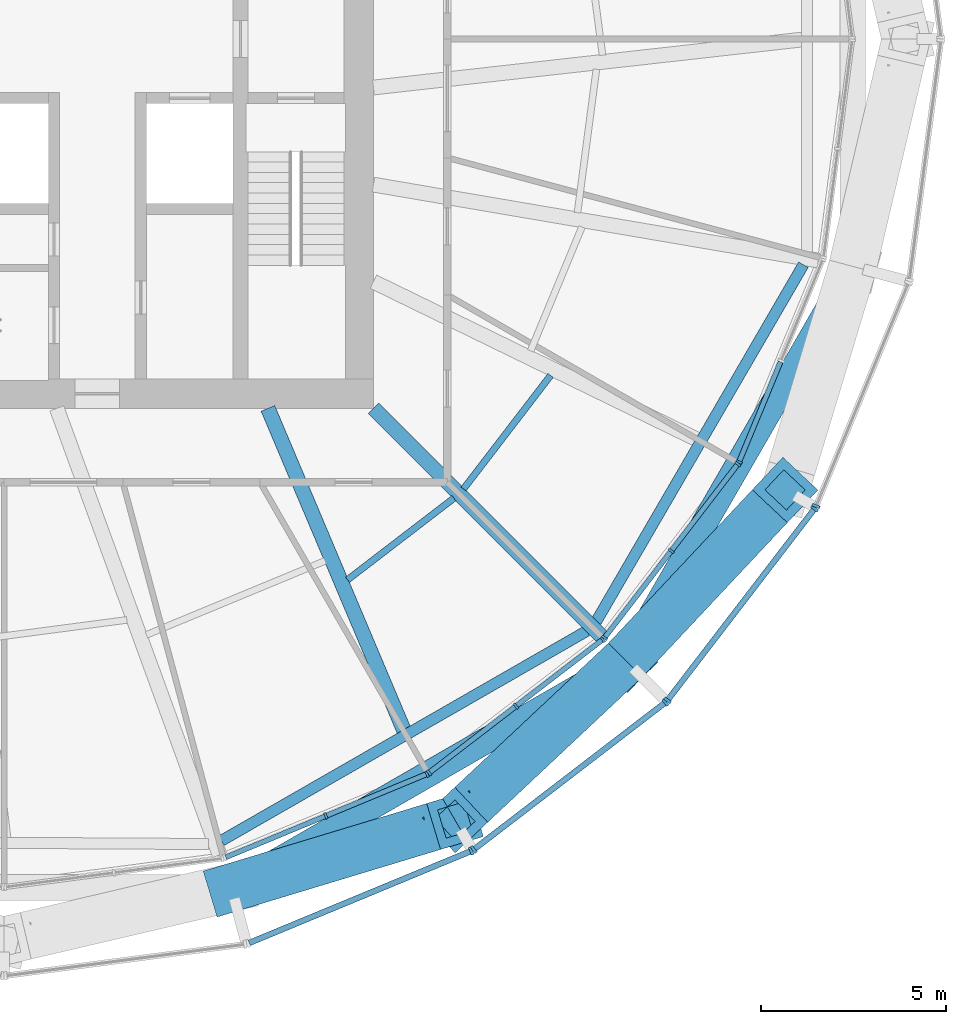
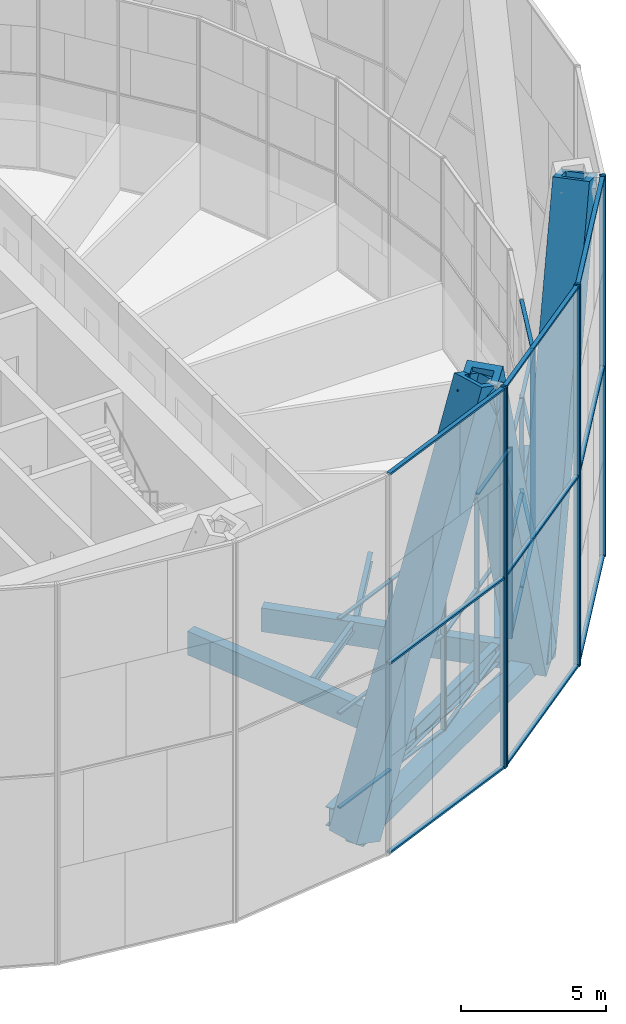
# One storey, part 4 of 22: 48 members, 8 beams, 8 elements without a shape of their own.
"""IFC4 building model written with IfcOpenShell, lengths in metres."""

from ifc_helpers import new_model, si_unit, direction, frame, origin, origin_2d, place, context, subcontext, project, spatial, rectangle, hollow_rectangle, i_section, extrude, material, material_profile, profile_set, type_object, element, aggregate, save


model = new_model("IFC4")

# Units and contexts
model_context = context("Model", 3, precision=1e-05, world=origin(), true_north=direction((0.0, 1.0)))
body_context = subcontext(model_context, "Body", "Model", "MODEL_VIEW")
ifc_project = project(units=[si_unit("LENGTHUNIT", "METRE"), si_unit("AREAUNIT", "SQUARE_METRE"), si_unit("VOLUMEUNIT", "CUBIC_METRE"), si_unit("PLANEANGLEUNIT", "RADIAN"), si_unit("MASSUNIT", "GRAM", prefix="KILO")], contexts=[model_context])

# Site, building, storey
site_placement = place(None, origin())
site = spatial("IfcSite", under=ifc_project, at=site_placement, CompositionType="ELEMENT")
building_placement = place(site_placement, origin())
building = spatial("IfcBuilding", under=site, at=building_placement, Name="Golbaran Civic Tower", CompositionType="ELEMENT")
storey_placement = place(building_placement, frame((0.0, 0.0, 37.0)))
storey = spatial("IfcBuildingStorey", under=building, at=storey_placement, Name="L08", CompositionType="ELEMENT", Elevation=37.0)

# Members
ifc_material_1 = material(Name="Steel S355", Category="steel")
ifc_material_profile_1 = material_profile(ifc_material_1, hollow_rectangle(XDim=1.300048828125, YDim=1.300048828125, WallThickness=0.25, at=origin_2d()), Name="BOX 1300x1300x250")
ifc_profile_set_1 = profile_set([ifc_material_profile_1], Name="Steel S355")
member_type_1 = type_object("IfcMemberType", Name="DIAGRID DIAGONAL BOX 1300x1300x250", PredefinedType="BRACE", material=ifc_profile_set_1)
for number, where, z_axis, x_axis, name in (
    (1, (6.156005859375, -22.974609375, -0.7099609375), (0.351780312348, 0.106361428095, 0.930020353787), (-0.289412539524, 0.957204461944, 0.0), "Diagonal D01-09R L08-L12"),
    (2, (16.818603515625, -16.818603515625, -0.7099609375), (0.251464950583, 0.267997493892, 0.930022968478), (-0.729242105697, 0.68425576452, 0.0), "Diagonal D01-10R L08-L12"),
    (3, (16.818603515625, -16.818603515625, -0.7099609375), (-0.267997493892, -0.251464950583, 0.930022968478), (0.68425576452, -0.729242105697, 0.0), "Diagonal D01-10L L08-L12"),
):
    element("IfcMember", number, at=place(storey_placement, frame(where, z_axis=z_axis, x_axis=x_axis)), inside=storey, type_object=member_type_1, Name=name, PredefinedType="BRACE", context=body_context, shape_type="SweptSolid", body=[
        extrude(hollow_rectangle(XDim=1.300048828125, YDim=1.300048828125, WallThickness=0.25, at=origin_2d()), origin(), (0.0, 0.0, 1.0), 17.203857421875),
    ])

# Beams
ifc_material_profile_2 = material_profile(ifc_material_1, hollow_rectangle(XDim=0.699951171875, YDim=0.699951171875, WallThickness=0.080078125, at=origin_2d()), Name="BOX 700x700x80")
ifc_profile_set_2 = profile_set([ifc_material_profile_2], Name="Steel S355")
beam_type_1 = type_object("IfcBeamType", Name="DIAGRID RING TIE BOX 700x700x80", PredefinedType="BEAM", material=ifc_profile_set_2)
for number, where, z_axis, x_axis, name in (
    (4, (6.156005859375, -22.974609375, -0.7099609375), (0.866027083758, 0.49999709019, 0.0), (-0.49999709019, 0.866027083758, 0.0), "Ring tie 285.00 L08"),
    (5, (16.818603515625, -16.818603515625, -0.7099609375), (0.49999709019, 0.866027083758, 0.0), (-0.866027083758, 0.49999709019, 0.0), "Ring tie 315.00 L08"),
):
    element("IfcBeam", number, at=place(storey_placement, frame(where, z_axis=z_axis, x_axis=x_axis)), inside=storey, type_object=beam_type_1, Name=name, PredefinedType="BEAM", context=body_context, shape_type="SweptSolid", body=[
        extrude(hollow_rectangle(XDim=0.699951171875, YDim=0.699951171875, WallThickness=0.080078125, at=origin_2d()), origin(), (0.0, 0.0, 1.0), 12.31201171875),
    ])
ifc_material_profile_3 = material_profile(ifc_material_1, i_section(OverallWidth=0.300048828125, OverallDepth=0.800048828125, WebThickness=0.017578125, FlangeThickness=0.032958984375, FilletRadius=0.030029296875, at=origin_2d()), Name="HEB 800")
ifc_profile_set_3 = profile_set([ifc_material_profile_3], Name="Steel S355")
beam_type_2 = type_object("IfcBeamType", Name="EDGE BEAM HEB 800", PredefinedType="BEAM", material=ifc_profile_set_3)
beam_1_placement = place(storey_placement, frame((5.884521484375, -21.703857421875, -0.60009765625), z_axis=(0.867245221026, 0.497881237452, 0.0), x_axis=(-0.497881237452, 0.867245221026, 0.0)))
element("IfcBeam", 6, at=beam_1_placement, inside=storey, type_object=beam_type_2, Name="Edge beam 285.00 L08", PredefinedType="BEAM", context=body_context, shape_type="SweptSolid", body=[
    extrude(i_section(OverallWidth=0.300048828125, OverallDepth=0.800048828125, WebThickness=0.017578125, FlangeThickness=0.032958984375, FilletRadius=0.030029296875, at=origin_2d()), origin(), (0.0, 0.0, 1.0), 11.40185546875),
])
beam_2_placement = place(storey_placement, frame((16.02783203125, -15.773193359375, -0.60009765625), z_axis=(0.502246731429, 0.864724361151, 0.0), x_axis=(-0.864724361151, 0.502246731429, 0.0)))
element("IfcBeam", 7, at=beam_2_placement, inside=storey, type_object=beam_type_2, Name="Edge beam 315.00 L08", PredefinedType="BEAM", context=body_context, shape_type="SweptSolid", body=[
    extrude(i_section(OverallWidth=0.300048828125, OverallDepth=0.800048828125, WebThickness=0.017578125, FlangeThickness=0.032958984375, FilletRadius=0.030029296875, at=origin_2d()), origin(), (0.0, 0.0, 1.0), 11.173828125),
])
ifc_material_profile_4 = material_profile(ifc_material_1, i_section(OverallWidth=0.179931640625, OverallDepth=0.39990234375, WebThickness=0.008544921875, FlangeThickness=0.013427734375, FilletRadius=0.02099609375, at=origin_2d()), Name="IPE 400")
ifc_profile_set_4 = profile_set([ifc_material_profile_4], Name="Steel S355")
beam_type_3 = type_object("IfcBeamType", Name="FLOOR INFILL BEAM IPE 400", PredefinedType="BEAM", material=ifc_profile_set_4)
beam_3_placement = place(storey_placement, frame((9.298583984375, -14.640869140625, -0.39990234375), z_axis=(0.793338798871, 0.608780379288, 0.0), x_axis=(-0.608780379288, 0.793338798871, 0.0)))
element("IfcBeam", 8, at=beam_3_placement, inside=storey, type_object=beam_type_3, Name="Infill beam 307.50 L08", PredefinedType="BEAM", context=body_context, shape_type="SweptSolid", body=[
    extrude(i_section(OverallWidth=0.179931640625, OverallDepth=0.39990234375, WebThickness=0.008544921875, FlangeThickness=0.013427734375, FilletRadius=0.02099609375, at=origin_2d()), origin(), (0.0, 0.0, 1.0), 3.628662109375),
])
beam_4_placement = place(storey_placement, frame((12.437255859375, -12.1826171875, -0.39990234375), z_axis=(0.608775438177, 0.793342590482, 0.0), x_axis=(-0.793342590482, 0.608775438177, 0.0)))
element("IfcBeam", 9, at=beam_4_placement, inside=storey, type_object=beam_type_3, Name="Infill beam 322.50 L08", PredefinedType="BEAM", context=body_context, shape_type="SweptSolid", body=[
    extrude(i_section(OverallWidth=0.179931640625, OverallDepth=0.39990234375, WebThickness=0.008544921875, FlangeThickness=0.013427734375, FilletRadius=0.02099609375, at=origin_2d()), origin(), (0.0, 0.0, 1.0), 3.87451171875),
])

# Curtain wall, members
ifc_material_2 = material(Name="Aluminium and glass", Category="aluminium")
curtain_wall_type_1 = type_object("IfcCurtainWallType", Name="INNER SKIN CURTAIN WALL", PredefinedType="NOTDEFINED", material=ifc_material_2)
curtain_wall_1_placement = place(storey_placement, origin())
curtain_wall_1 = element("IfcCurtainWall", 10, at=curtain_wall_1_placement, inside=storey, type_object=curtain_wall_type_1, Name="Inner skin L08 facet 20 CW1", ObjectType="INNER SKIN", PredefinedType="USERDEFINED")
ifc_material_3 = material(Name="Aluminium", Category="aluminium")
ifc_material_profile_5 = material_profile(ifc_material_3, rectangle(XDim=0.179931640625, YDim=0.06494140625, at=origin_2d()), Name="INNER SKIN CURTAIN WALL MULLION")
ifc_profile_set_5 = profile_set([ifc_material_profile_5], Name="Aluminium")
member_type_2 = type_object("IfcMemberType", Name="INNER SKIN CURTAIN WALL MULLION", PredefinedType="MULLION", material=ifc_profile_set_5)
member_1_placement = place(storey_placement, frame((8.711669921875, -21.03173828125, 0.0), z_axis=(0.0, 0.0, 1.0), x_axis=(-0.382683432365, 0.923879532511, 0.0)))
member_1 = element("IfcMember", 11, at=member_1_placement, type_object=member_type_2, Name="CW1 mullion 2", PredefinedType="MULLION", context=body_context, shape_type="SweptSolid", body=[
    extrude(rectangle(XDim=0.179931640625, YDim=0.06494140625, at=origin_2d()), origin(), (0.0, 0.0, 1.0), 8.0),
])
member_2_placement = place(storey_placement, frame((11.450439453125, -19.897216796875, 0.0), z_axis=(0.0, 0.0, 1.0), x_axis=(-0.382683432365, 0.923879532511, 0.0)))
member_2 = element("IfcMember", 12, at=member_2_placement, type_object=member_type_2, Name="CW1 mullion 3", PredefinedType="MULLION", context=body_context, shape_type="SweptSolid", body=[
    extrude(rectangle(XDim=0.179931640625, YDim=0.06494140625, at=origin_2d()), origin(), (0.0, 0.0, 1.0), 8.0),
])

curtain_wall_2_placement = place(storey_placement, origin())
curtain_wall_2 = element("IfcCurtainWall", 13, at=curtain_wall_2_placement, inside=storey, type_object=curtain_wall_type_1, Name="Inner skin L08 facet 21 CW1", ObjectType="INNER SKIN", PredefinedType="USERDEFINED")
member_3_placement = place(storey_placement, frame((11.50634765625, -19.864990234375, 0.0), z_axis=(0.0, 0.0, 1.0), x_axis=(-0.608761428939, 0.793353340344, 0.0)))
member_3 = element("IfcMember", 14, at=member_3_placement, type_object=member_type_2, Name="CW1 mullion 1", PredefinedType="MULLION", context=body_context, shape_type="SweptSolid", body=[
    extrude(rectangle(XDim=0.179931640625, YDim=0.06494140625, at=origin_2d()), origin(), (0.0, 0.0, 1.0), 8.0),
])
member_4_placement = place(storey_placement, frame((13.858154296875, -18.060302734375, 0.0), z_axis=(0.0, 0.0, 1.0), x_axis=(-0.608761428939, 0.793353340344, 0.0)))
member_4 = element("IfcMember", 15, at=member_4_placement, type_object=member_type_2, Name="CW1 mullion 2", PredefinedType="MULLION", context=body_context, shape_type="SweptSolid", body=[
    extrude(rectangle(XDim=0.179931640625, YDim=0.06494140625, at=origin_2d()), origin(), (0.0, 0.0, 1.0), 8.0),
])
member_5_placement = place(storey_placement, frame((16.210205078125, -16.255615234375, 0.0), z_axis=(0.0, 0.0, 1.0), x_axis=(-0.608761428939, 0.793353340344, 0.0)))
member_5 = element("IfcMember", 16, at=member_5_placement, type_object=member_type_2, Name="CW1 mullion 3", PredefinedType="MULLION", context=body_context, shape_type="SweptSolid", body=[
    extrude(rectangle(XDim=0.179931640625, YDim=0.06494140625, at=origin_2d()), origin(), (0.0, 0.0, 1.0), 8.0),
])

curtain_wall_3_placement = place(storey_placement, origin())
curtain_wall_3 = element("IfcCurtainWall", 17, at=curtain_wall_3_placement, inside=storey, type_object=curtain_wall_type_1, Name="Inner skin L08 facet 22 CW1", ObjectType="INNER SKIN", PredefinedType="USERDEFINED")
member_6_placement = place(storey_placement, frame((16.255615234375, -16.210205078125, 0.0), z_axis=(0.0, 0.0, 1.0), x_axis=(-0.793353340344, 0.608761428939, 0.0)))
member_6 = element("IfcMember", 18, at=member_6_placement, type_object=member_type_2, Name="CW1 mullion 1", PredefinedType="MULLION", context=body_context, shape_type="SweptSolid", body=[
    extrude(rectangle(XDim=0.179931640625, YDim=0.06494140625, at=origin_2d()), origin(), (0.0, 0.0, 1.0), 8.0),
])
member_7_placement = place(storey_placement, frame((18.060302734375, -13.858154296875, 0.0), z_axis=(0.0, 0.0, 1.0), x_axis=(-0.793353340344, 0.608761428939, 0.0)))
member_7 = element("IfcMember", 19, at=member_7_placement, type_object=member_type_2, Name="CW1 mullion 2", PredefinedType="MULLION", context=body_context, shape_type="SweptSolid", body=[
    extrude(rectangle(XDim=0.179931640625, YDim=0.06494140625, at=origin_2d()), origin(), (0.0, 0.0, 1.0), 8.0),
])
member_8_placement = place(storey_placement, frame((19.864990234375, -11.50634765625, 0.0), z_axis=(0.0, 0.0, 1.0), x_axis=(-0.793353340344, 0.608761428939, 0.0)))
member_8 = element("IfcMember", 20, at=member_8_placement, type_object=member_type_2, Name="CW1 mullion 3", PredefinedType="MULLION", context=body_context, shape_type="SweptSolid", body=[
    extrude(rectangle(XDim=0.179931640625, YDim=0.06494140625, at=origin_2d()), origin(), (0.0, 0.0, 1.0), 8.0),
])

# Curtain wall, member
curtain_wall_4_placement = place(storey_placement, origin())
curtain_wall_4 = element("IfcCurtainWall", 21, at=curtain_wall_4_placement, inside=storey, type_object=curtain_wall_type_1, Name="Inner skin L08 facet 23 CW1", ObjectType="INNER SKIN", PredefinedType="USERDEFINED")
member_9_placement = place(storey_placement, frame((19.897216796875, -11.450439453125, 0.0), z_axis=(0.0, 0.0, 1.0), x_axis=(-0.923879532511, 0.382683432365, 0.0)))
member_9 = element("IfcMember", 22, at=member_9_placement, type_object=member_type_2, Name="CW1 mullion 1", PredefinedType="MULLION", context=body_context, shape_type="SweptSolid", body=[
    extrude(rectangle(XDim=0.179931640625, YDim=0.06494140625, at=origin_2d()), origin(), (0.0, 0.0, 1.0), 8.0),
])

# Member
ifc_material_profile_6 = material_profile(ifc_material_3, rectangle(XDim=0.139892578125, YDim=0.06494140625, at=origin_2d()), Name="INNER SKIN CURTAIN WALL TRANSOM")
ifc_profile_set_6 = profile_set([ifc_material_profile_6], Name="Aluminium")
member_type_3 = type_object("IfcMemberType", Name="INNER SKIN CURTAIN WALL TRANSOM", PredefinedType="USERDEFINED", material=ifc_profile_set_6)
member_10_placement = place(storey_placement, frame((6.002685546875, -22.15380859375, 0.032470703125), z_axis=(0.923884456628, 0.382671544279, 0.0), x_axis=(-0.382671544279, 0.923884456628, 0.0)))
member_10 = element("IfcMember", 23, at=member_10_placement, type_object=member_type_3, Name="CW1 transom 1.1", ObjectType="TRANSOM", PredefinedType="USERDEFINED", context=body_context, shape_type="SweptSolid", body=[
    extrude(rectangle(XDim=0.139892578125, YDim=0.06494140625, at=origin_2d()), origin(), (0.0, 0.0, 1.0), 2.899658203125),
])

member_11_placement = place(storey_placement, frame((6.002685546875, -22.15380859375, 4.0), z_axis=(0.923884456628, 0.382671544279, 0.0), x_axis=(-0.382671544279, 0.923884456628, 0.0)))
member_11 = element("IfcMember", 24, at=member_11_placement, type_object=member_type_3, Name="CW1 transom 1.2", ObjectType="TRANSOM", PredefinedType="USERDEFINED", context=body_context, shape_type="SweptSolid", body=[
    extrude(rectangle(XDim=0.139892578125, YDim=0.06494140625, at=origin_2d()), origin(), (0.0, 0.0, 1.0), 2.899658203125),
])

member_12_placement = place(storey_placement, frame((6.002685546875, -22.15380859375, 7.967529296875), z_axis=(0.923884456628, 0.382671544279, 0.0), x_axis=(-0.382671544279, 0.923884456628, 0.0)))
member_12 = element("IfcMember", 25, at=member_12_placement, type_object=member_type_3, Name="CW1 transom 1.3", ObjectType="TRANSOM", PredefinedType="USERDEFINED", context=body_context, shape_type="SweptSolid", body=[
    extrude(rectangle(XDim=0.139892578125, YDim=0.06494140625, at=origin_2d()), origin(), (0.0, 0.0, 1.0), 2.899658203125),
])

member_13_placement = place(storey_placement, frame((8.74169921875, -21.019287109375, 0.032470703125), z_axis=(0.923872125713, 0.382701313468, 0.0), x_axis=(-0.382701313468, 0.923872125713, 0.0)))
member_13 = element("IfcMember", 26, at=member_13_placement, type_object=member_type_3, Name="CW1 transom 2.1", ObjectType="TRANSOM", PredefinedType="USERDEFINED", context=body_context, shape_type="SweptSolid", body=[
    extrude(rectangle(XDim=0.139892578125, YDim=0.06494140625, at=origin_2d()), origin(), (0.0, 0.0, 1.0), 2.8994140625),
])

member_14_placement = place(storey_placement, frame((8.74169921875, -21.019287109375, 4.0), z_axis=(0.923872125713, 0.382701313468, 0.0), x_axis=(-0.382701313468, 0.923872125713, 0.0)))
member_14 = element("IfcMember", 27, at=member_14_placement, type_object=member_type_3, Name="CW1 transom 2.2", ObjectType="TRANSOM", PredefinedType="USERDEFINED", context=body_context, shape_type="SweptSolid", body=[
    extrude(rectangle(XDim=0.139892578125, YDim=0.06494140625, at=origin_2d()), origin(), (0.0, 0.0, 1.0), 2.8994140625),
])

member_15_placement = place(storey_placement, frame((8.74169921875, -21.019287109375, 7.967529296875), z_axis=(0.923872125713, 0.382701313468, 0.0), x_axis=(-0.382701313468, 0.923872125713, 0.0)))
member_15 = element("IfcMember", 28, at=member_15_placement, type_object=member_type_3, Name="CW1 transom 2.3", ObjectType="TRANSOM", PredefinedType="USERDEFINED", context=body_context, shape_type="SweptSolid", body=[
    extrude(rectangle(XDim=0.139892578125, YDim=0.06494140625, at=origin_2d()), origin(), (0.0, 0.0, 1.0), 2.8994140625),
])

aggregate(curtain_wall_1, [member_1, member_2, member_10, member_11, member_12, member_13, member_14, member_15])

member_16_placement = place(storey_placement, frame((11.531982421875, -19.84521484375, 0.032470703125), z_axis=(0.79337457451, 0.608733755036, 0.0), x_axis=(-0.608733755036, 0.79337457451, 0.0)))
member_16 = element("IfcMember", 29, at=member_16_placement, type_object=member_type_3, Name="CW1 transom 1.1", ObjectType="TRANSOM", PredefinedType="USERDEFINED", context=body_context, shape_type="SweptSolid", body=[
    extrude(rectangle(XDim=0.139892578125, YDim=0.06494140625, at=origin_2d()), origin(), (0.0, 0.0, 1.0), 2.899658203125),
])

member_17_placement = place(storey_placement, frame((11.531982421875, -19.84521484375, 4.0), z_axis=(0.79337457451, 0.608733755036, 0.0), x_axis=(-0.608733755036, 0.79337457451, 0.0)))
member_17 = element("IfcMember", 30, at=member_17_placement, type_object=member_type_3, Name="CW1 transom 1.2", ObjectType="TRANSOM", PredefinedType="USERDEFINED", context=body_context, shape_type="SweptSolid", body=[
    extrude(rectangle(XDim=0.139892578125, YDim=0.06494140625, at=origin_2d()), origin(), (0.0, 0.0, 1.0), 2.899658203125),
])

member_18_placement = place(storey_placement, frame((11.531982421875, -19.84521484375, 7.967529296875), z_axis=(0.79337457451, 0.608733755036, 0.0), x_axis=(-0.608733755036, 0.79337457451, 0.0)))
member_18 = element("IfcMember", 31, at=member_18_placement, type_object=member_type_3, Name="CW1 transom 1.3", ObjectType="TRANSOM", PredefinedType="USERDEFINED", context=body_context, shape_type="SweptSolid", body=[
    extrude(rectangle(XDim=0.139892578125, YDim=0.06494140625, at=origin_2d()), origin(), (0.0, 0.0, 1.0), 2.899658203125),
])

member_19_placement = place(storey_placement, frame((13.884033203125, -18.04052734375, 0.032470703125), z_axis=(0.793343372155, 0.608774419516, 0.0), x_axis=(-0.608774419516, 0.793343372155, 0.0)))
member_19 = element("IfcMember", 32, at=member_19_placement, type_object=member_type_3, Name="CW1 transom 2.1", ObjectType="TRANSOM", PredefinedType="USERDEFINED", context=body_context, shape_type="SweptSolid", body=[
    extrude(rectangle(XDim=0.139892578125, YDim=0.06494140625, at=origin_2d()), origin(), (0.0, 0.0, 1.0), 2.8994140625),
])

member_20_placement = place(storey_placement, frame((13.884033203125, -18.04052734375, 4.0), z_axis=(0.793343372155, 0.608774419516, 0.0), x_axis=(-0.608774419516, 0.793343372155, 0.0)))
member_20 = element("IfcMember", 33, at=member_20_placement, type_object=member_type_3, Name="CW1 transom 2.2", ObjectType="TRANSOM", PredefinedType="USERDEFINED", context=body_context, shape_type="SweptSolid", body=[
    extrude(rectangle(XDim=0.139892578125, YDim=0.06494140625, at=origin_2d()), origin(), (0.0, 0.0, 1.0), 2.8994140625),
])

member_21_placement = place(storey_placement, frame((13.884033203125, -18.04052734375, 7.967529296875), z_axis=(0.793343372155, 0.608774419516, 0.0), x_axis=(-0.608774419516, 0.793343372155, 0.0)))
member_21 = element("IfcMember", 34, at=member_21_placement, type_object=member_type_3, Name="CW1 transom 2.3", ObjectType="TRANSOM", PredefinedType="USERDEFINED", context=body_context, shape_type="SweptSolid", body=[
    extrude(rectangle(XDim=0.139892578125, YDim=0.06494140625, at=origin_2d()), origin(), (0.0, 0.0, 1.0), 2.8994140625),
])

aggregate(curtain_wall_2, [member_3, member_4, member_5, member_16, member_17, member_18, member_19, member_20, member_21])

member_22_placement = place(storey_placement, frame((16.275390625, -16.184326171875, 0.032470703125), z_axis=(0.608774419516, 0.793343372155, 0.0), x_axis=(-0.793343372155, 0.608774419516, 0.0)))
member_22 = element("IfcMember", 35, at=member_22_placement, type_object=member_type_3, Name="CW1 transom 1.1", ObjectType="TRANSOM", PredefinedType="USERDEFINED", context=body_context, shape_type="SweptSolid", body=[
    extrude(rectangle(XDim=0.139892578125, YDim=0.06494140625, at=origin_2d()), origin(), (0.0, 0.0, 1.0), 2.8994140625),
])

member_23_placement = place(storey_placement, frame((16.275390625, -16.184326171875, 4.0), z_axis=(0.608774419516, 0.793343372155, 0.0), x_axis=(-0.793343372155, 0.608774419516, 0.0)))
member_23 = element("IfcMember", 36, at=member_23_placement, type_object=member_type_3, Name="CW1 transom 1.2", ObjectType="TRANSOM", PredefinedType="USERDEFINED", context=body_context, shape_type="SweptSolid", body=[
    extrude(rectangle(XDim=0.139892578125, YDim=0.06494140625, at=origin_2d()), origin(), (0.0, 0.0, 1.0), 2.8994140625),
])

member_24_placement = place(storey_placement, frame((16.275390625, -16.184326171875, 7.967529296875), z_axis=(0.608774419516, 0.793343372155, 0.0), x_axis=(-0.793343372155, 0.608774419516, 0.0)))
member_24 = element("IfcMember", 37, at=member_24_placement, type_object=member_type_3, Name="CW1 transom 1.3", ObjectType="TRANSOM", PredefinedType="USERDEFINED", context=body_context, shape_type="SweptSolid", body=[
    extrude(rectangle(XDim=0.139892578125, YDim=0.06494140625, at=origin_2d()), origin(), (0.0, 0.0, 1.0), 2.8994140625),
])

member_25_placement = place(storey_placement, frame((18.080078125, -13.83251953125, 0.032470703125), z_axis=(0.608733755036, 0.79337457451, 0.0), x_axis=(-0.79337457451, 0.608733755036, 0.0)))
member_25 = element("IfcMember", 38, at=member_25_placement, type_object=member_type_3, Name="CW1 transom 2.1", ObjectType="TRANSOM", PredefinedType="USERDEFINED", context=body_context, shape_type="SweptSolid", body=[
    extrude(rectangle(XDim=0.139892578125, YDim=0.06494140625, at=origin_2d()), origin(), (0.0, 0.0, 1.0), 2.899658203125),
])

member_26_placement = place(storey_placement, frame((18.080078125, -13.83251953125, 4.0), z_axis=(0.608733755036, 0.79337457451, 0.0), x_axis=(-0.79337457451, 0.608733755036, 0.0)))
member_26 = element("IfcMember", 39, at=member_26_placement, type_object=member_type_3, Name="CW1 transom 2.2", ObjectType="TRANSOM", PredefinedType="USERDEFINED", context=body_context, shape_type="SweptSolid", body=[
    extrude(rectangle(XDim=0.139892578125, YDim=0.06494140625, at=origin_2d()), origin(), (0.0, 0.0, 1.0), 2.899658203125),
])

member_27_placement = place(storey_placement, frame((18.080078125, -13.83251953125, 7.967529296875), z_axis=(0.608733755036, 0.79337457451, 0.0), x_axis=(-0.79337457451, 0.608733755036, 0.0)))
member_27 = element("IfcMember", 40, at=member_27_placement, type_object=member_type_3, Name="CW1 transom 2.3", ObjectType="TRANSOM", PredefinedType="USERDEFINED", context=body_context, shape_type="SweptSolid", body=[
    extrude(rectangle(XDim=0.139892578125, YDim=0.06494140625, at=origin_2d()), origin(), (0.0, 0.0, 1.0), 2.899658203125),
])

aggregate(curtain_wall_3, [member_6, member_7, member_8, member_22, member_23, member_24, member_25, member_26, member_27])

member_28_placement = place(storey_placement, frame((19.90966796875, -11.42041015625, 0.032470703125), z_axis=(0.382701313468, 0.923872125713, 0.0), x_axis=(-0.923872125713, 0.382701313468, 0.0)))
member_28 = element("IfcMember", 41, at=member_28_placement, type_object=member_type_3, Name="CW1 transom 1.1", ObjectType="TRANSOM", PredefinedType="USERDEFINED", context=body_context, shape_type="SweptSolid", body=[
    extrude(rectangle(XDim=0.139892578125, YDim=0.06494140625, at=origin_2d()), origin(), (0.0, 0.0, 1.0), 2.8994140625),
])

member_29_placement = place(storey_placement, frame((19.90966796875, -11.42041015625, 4.0), z_axis=(0.382701313468, 0.923872125713, 0.0), x_axis=(-0.923872125713, 0.382701313468, 0.0)))
member_29 = element("IfcMember", 42, at=member_29_placement, type_object=member_type_3, Name="CW1 transom 1.2", ObjectType="TRANSOM", PredefinedType="USERDEFINED", context=body_context, shape_type="SweptSolid", body=[
    extrude(rectangle(XDim=0.139892578125, YDim=0.06494140625, at=origin_2d()), origin(), (0.0, 0.0, 1.0), 2.8994140625),
])

member_30_placement = place(storey_placement, frame((19.90966796875, -11.42041015625, 7.967529296875), z_axis=(0.382701313468, 0.923872125713, 0.0), x_axis=(-0.923872125713, 0.382701313468, 0.0)))
member_30 = element("IfcMember", 43, at=member_30_placement, type_object=member_type_3, Name="CW1 transom 1.3", ObjectType="TRANSOM", PredefinedType="USERDEFINED", context=body_context, shape_type="SweptSolid", body=[
    extrude(rectangle(XDim=0.139892578125, YDim=0.06494140625, at=origin_2d()), origin(), (0.0, 0.0, 1.0), 2.8994140625),
])

aggregate(curtain_wall_4, [member_9, member_28, member_29, member_30])

# Curtain wall, member
curtain_wall_type_2 = type_object("IfcCurtainWallType", Name="OUTER SKIN TERRACOTTA SCREEN", PredefinedType="NOTDEFINED", material=ifc_material_2)
curtain_wall_5_placement = place(storey_placement, origin())
curtain_wall_5 = element("IfcCurtainWall", 44, at=curtain_wall_5_placement, inside=storey, type_object=curtain_wall_type_2, Name="Outer skin L08 facet 20 CW3", ObjectType="OUTER SKIN", PredefinedType="USERDEFINED")
ifc_material_profile_7 = material_profile(ifc_material_3, rectangle(XDim=0.219970703125, YDim=0.080078125, at=origin_2d()), Name="OUTER SKIN TERRACOTTA SCREEN MULLION")
ifc_profile_set_7 = profile_set([ifc_material_profile_7], Name="Aluminium")
member_type_4 = type_object("IfcMemberType", Name="OUTER SKIN TERRACOTTA SCREEN MULLION", PredefinedType="MULLION", material=ifc_profile_set_7)
member_31_placement = place(storey_placement, frame((12.64599609375, -21.98291015625, -0.7099609375), z_axis=(0.0, 0.0, 1.0), x_axis=(-0.382683432462, 0.923879532471, 0.0)))
member_31 = element("IfcMember", 45, at=member_31_placement, type_object=member_type_4, Name="CW3 mullion 2", PredefinedType="MULLION", context=body_context, shape_type="SweptSolid", body=[
    extrude(rectangle(XDim=0.219970703125, YDim=0.080078125, at=origin_2d()), origin(), (0.0, 0.0, 1.0), 16.0),
])

# Curtain wall, members
curtain_wall_6_placement = place(storey_placement, origin())
curtain_wall_6 = element("IfcCurtainWall", 46, at=curtain_wall_6_placement, inside=storey, type_object=curtain_wall_type_2, Name="Outer skin L08 facet 21 CW3", ObjectType="OUTER SKIN", PredefinedType="USERDEFINED")
member_32_placement = place(storey_placement, frame((12.71484375, -21.943359375, -0.7099609375), z_axis=(0.0, 0.0, 1.0), x_axis=(-0.608761428898, 0.793353340376, 0.0)))
member_32 = element("IfcMember", 47, at=member_32_placement, type_object=member_type_4, Name="CW3 mullion 1", PredefinedType="MULLION", context=body_context, shape_type="SweptSolid", body=[
    extrude(rectangle(XDim=0.219970703125, YDim=0.080078125, at=origin_2d()), origin(), (0.0, 0.0, 1.0), 16.0),
])
member_33_placement = place(storey_placement, frame((17.90478515625, -17.9609375, -0.7099609375), z_axis=(0.0, 0.0, 1.0), x_axis=(-0.608761428898, 0.793353340376, 0.0)))
member_33 = element("IfcMember", 48, at=member_33_placement, type_object=member_type_4, Name="CW3 mullion 2", PredefinedType="MULLION", context=body_context, shape_type="SweptSolid", body=[
    extrude(rectangle(XDim=0.219970703125, YDim=0.080078125, at=origin_2d()), origin(), (0.0, 0.0, 1.0), 16.0),
])

curtain_wall_7_placement = place(storey_placement, origin())
curtain_wall_7 = element("IfcCurtainWall", 49, at=curtain_wall_7_placement, inside=storey, type_object=curtain_wall_type_2, Name="Outer skin L08 facet 22 CW3", ObjectType="OUTER SKIN", PredefinedType="USERDEFINED")
member_34_placement = place(storey_placement, frame((17.9609375, -17.90478515625, -0.7099609375), z_axis=(0.0, 0.0, 1.0), x_axis=(-0.793353340376, 0.608761428898, 0.0)))
member_34 = element("IfcMember", 50, at=member_34_placement, type_object=member_type_4, Name="CW3 mullion 1", PredefinedType="MULLION", context=body_context, shape_type="SweptSolid", body=[
    extrude(rectangle(XDim=0.219970703125, YDim=0.080078125, at=origin_2d()), origin(), (0.0, 0.0, 1.0), 16.0),
])
member_35_placement = place(storey_placement, frame((21.943359375, -12.71484375, -0.7099609375), z_axis=(0.0, 0.0, 1.0), x_axis=(-0.793353340376, 0.608761428898, 0.0)))
member_35 = element("IfcMember", 51, at=member_35_placement, type_object=member_type_4, Name="CW3 mullion 2", PredefinedType="MULLION", context=body_context, shape_type="SweptSolid", body=[
    extrude(rectangle(XDim=0.219970703125, YDim=0.080078125, at=origin_2d()), origin(), (0.0, 0.0, 1.0), 16.0),
])

# Curtain wall, member
curtain_wall_8_placement = place(storey_placement, origin())
curtain_wall_8 = element("IfcCurtainWall", 52, at=curtain_wall_8_placement, inside=storey, type_object=curtain_wall_type_2, Name="Outer skin L08 facet 23 CW3", ObjectType="OUTER SKIN", PredefinedType="USERDEFINED")
member_36_placement = place(storey_placement, frame((21.98291015625, -12.64599609375, -0.7099609375), z_axis=(0.0, 0.0, 1.0), x_axis=(-0.923879532471, 0.382683432462, 0.0)))
member_36 = element("IfcMember", 53, at=member_36_placement, type_object=member_type_4, Name="CW3 mullion 1", PredefinedType="MULLION", context=body_context, shape_type="SweptSolid", body=[
    extrude(rectangle(XDim=0.219970703125, YDim=0.080078125, at=origin_2d()), origin(), (0.0, 0.0, 1.0), 16.0),
])
aggregate(curtain_wall_8, [member_36])

# Member
ifc_material_profile_8 = material_profile(ifc_material_3, rectangle(XDim=0.159912109375, YDim=0.080078125, at=origin_2d()), Name="OUTER SKIN TERRACOTTA SCREEN TRANSOM")
ifc_profile_set_8 = profile_set([ifc_material_profile_8], Name="Aluminium")
member_type_5 = type_object("IfcMemberType", Name="OUTER SKIN TERRACOTTA SCREEN TRANSOM", PredefinedType="USERDEFINED", material=ifc_profile_set_8)
member_37_placement = place(storey_placement, frame((6.63916015625, -24.470947265625, -0.669921875), z_axis=(0.923889740947, 0.382658786092, 0.0), x_axis=(-0.382658786092, 0.923889740947, 0.0)))
member_37 = element("IfcMember", 54, at=member_37_placement, type_object=member_type_5, Name="CW3 transom 1.1", ObjectType="TRANSOM", PredefinedType="USERDEFINED", context=body_context, shape_type="SweptSolid", body=[
    extrude(rectangle(XDim=0.159912109375, YDim=0.080078125, at=origin_2d()), origin(), (0.0, 0.0, 1.0), 6.461669921875),
])

member_38_placement = place(storey_placement, frame((6.63916015625, -24.470947265625, 7.2900390625), z_axis=(0.923889740947, 0.382658786092, 0.0), x_axis=(-0.382658786092, 0.923889740947, 0.0)))
member_38 = element("IfcMember", 55, at=member_38_placement, type_object=member_type_5, Name="CW3 transom 1.2", ObjectType="TRANSOM", PredefinedType="USERDEFINED", context=body_context, shape_type="SweptSolid", body=[
    extrude(rectangle(XDim=0.159912109375, YDim=0.080078125, at=origin_2d()), origin(), (0.0, 0.0, 1.0), 6.461669921875),
])

member_39_placement = place(storey_placement, frame((6.63916015625, -24.470947265625, 15.25), z_axis=(0.923889740947, 0.382658786092, 0.0), x_axis=(-0.382658786092, 0.923889740947, 0.0)))
member_39 = element("IfcMember", 56, at=member_39_placement, type_object=member_type_5, Name="CW3 transom 1.3", ObjectType="TRANSOM", PredefinedType="USERDEFINED", context=body_context, shape_type="SweptSolid", body=[
    extrude(rectangle(XDim=0.159912109375, YDim=0.080078125, at=origin_2d()), origin(), (0.0, 0.0, 1.0), 6.461669921875),
])

aggregate(curtain_wall_5, [member_31, member_37, member_38, member_39])

member_40_placement = place(storey_placement, frame((12.74658203125, -21.9189453125, -0.669921875), z_axis=(0.793341152721, 0.60877731183, 0.0), x_axis=(-0.60877731183, 0.793341152721, 0.0)))
member_40 = element("IfcMember", 57, at=member_40_placement, type_object=member_type_5, Name="CW3 transom 1.1", ObjectType="TRANSOM", PredefinedType="USERDEFINED", context=body_context, shape_type="SweptSolid", body=[
    extrude(rectangle(XDim=0.159912109375, YDim=0.080078125, at=origin_2d()), origin(), (0.0, 0.0, 1.0), 6.4619140625),
])

member_41_placement = place(storey_placement, frame((12.74658203125, -21.9189453125, 7.2900390625), z_axis=(0.793341152721, 0.60877731183, 0.0), x_axis=(-0.60877731183, 0.793341152721, 0.0)))
member_41 = element("IfcMember", 58, at=member_41_placement, type_object=member_type_5, Name="CW3 transom 1.2", ObjectType="TRANSOM", PredefinedType="USERDEFINED", context=body_context, shape_type="SweptSolid", body=[
    extrude(rectangle(XDim=0.159912109375, YDim=0.080078125, at=origin_2d()), origin(), (0.0, 0.0, 1.0), 6.4619140625),
])

member_42_placement = place(storey_placement, frame((12.74658203125, -21.9189453125, 15.25), z_axis=(0.793341152721, 0.60877731183, 0.0), x_axis=(-0.60877731183, 0.793341152721, 0.0)))
member_42 = element("IfcMember", 59, at=member_42_placement, type_object=member_type_5, Name="CW3 transom 1.3", ObjectType="TRANSOM", PredefinedType="USERDEFINED", context=body_context, shape_type="SweptSolid", body=[
    extrude(rectangle(XDim=0.159912109375, YDim=0.080078125, at=origin_2d()), origin(), (0.0, 0.0, 1.0), 6.4619140625),
])

aggregate(curtain_wall_6, [member_32, member_33, member_40, member_41, member_42])

member_43_placement = place(storey_placement, frame((17.985107421875, -17.873046875, -0.669921875), z_axis=(0.60877731183, 0.793341152721, 0.0), x_axis=(-0.793341152721, 0.60877731183, 0.0)))
member_43 = element("IfcMember", 60, at=member_43_placement, type_object=member_type_5, Name="CW3 transom 1.1", ObjectType="TRANSOM", PredefinedType="USERDEFINED", context=body_context, shape_type="SweptSolid", body=[
    extrude(rectangle(XDim=0.159912109375, YDim=0.080078125, at=origin_2d()), origin(), (0.0, 0.0, 1.0), 6.4619140625),
])

member_44_placement = place(storey_placement, frame((17.985107421875, -17.873046875, 7.2900390625), z_axis=(0.60877731183, 0.793341152721, 0.0), x_axis=(-0.793341152721, 0.60877731183, 0.0)))
member_44 = element("IfcMember", 61, at=member_44_placement, type_object=member_type_5, Name="CW3 transom 1.2", ObjectType="TRANSOM", PredefinedType="USERDEFINED", context=body_context, shape_type="SweptSolid", body=[
    extrude(rectangle(XDim=0.159912109375, YDim=0.080078125, at=origin_2d()), origin(), (0.0, 0.0, 1.0), 6.4619140625),
])

member_45_placement = place(storey_placement, frame((17.985107421875, -17.873046875, 15.25), z_axis=(0.60877731183, 0.793341152721, 0.0), x_axis=(-0.793341152721, 0.60877731183, 0.0)))
member_45 = element("IfcMember", 62, at=member_45_placement, type_object=member_type_5, Name="CW3 transom 1.3", ObjectType="TRANSOM", PredefinedType="USERDEFINED", context=body_context, shape_type="SweptSolid", body=[
    extrude(rectangle(XDim=0.159912109375, YDim=0.080078125, at=origin_2d()), origin(), (0.0, 0.0, 1.0), 6.4619140625),
])

aggregate(curtain_wall_7, [member_34, member_35, member_43, member_44, member_45])

# Beams
ifc_material_profile_9 = material_profile(ifc_material_1, hollow_rectangle(XDim=0.39990234375, YDim=1.0, WallThickness=0.050048828125, at=origin_2d()), Name="BOX 1000x400x50")
ifc_profile_set_9 = profile_set([ifc_material_profile_9], Name="Steel S355")
beam_type_4 = type_object("IfcBeamType", Name="RADIAL FLOOR BEAM BOX 1000x400x50", PredefinedType="BEAM", material=ifc_profile_set_9)
beam_5_placement = place(storey_placement, frame((10.0, -10.0, -0.7099609375), z_axis=(0.707106781187, -0.707106781187, 0.0), x_axis=(0.707106781187, 0.707106781187, 0.0)))
element("IfcBeam", 63, at=beam_5_placement, inside=storey, type_object=beam_type_4, Name="Radial beam 315.00 L08", PredefinedType="BEAM", context=body_context, shape_type="SweptSolid", body=[
    extrude(hollow_rectangle(XDim=0.39990234375, YDim=1.0, WallThickness=0.050048828125, at=origin_2d()), origin(), (0.0, 0.0, 1.0), 8.7763671875),
])
ifc_material_profile_10 = material_profile(ifc_material_1, hollow_rectangle(XDim=0.39990234375, YDim=1.0, WallThickness=0.0400390625, at=origin_2d()), Name="BOX 1000x400x40")
ifc_profile_set_10 = profile_set([ifc_material_profile_10], Name="Steel S355")
beam_type_5 = type_object("IfcBeamType", Name="SECONDARY FLOOR BEAM BOX 1000x400x40", PredefinedType="BEAM", material=ifc_profile_set_10)
beam_6_placement = place(storey_placement, frame((7.142822265625, -10.0, -0.7099609375), z_axis=(0.389126085667, -0.921184503481, 0.0), x_axis=(0.921184503481, 0.389126085667, 0.0)))
element("IfcBeam", 64, at=beam_6_placement, inside=storey, type_object=beam_type_5, Name="Secondary beam 300.00 L08", PredefinedType="BEAM", context=body_context, shape_type="SweptSolid", body=[
    extrude(hollow_rectangle(XDim=0.39990234375, YDim=1.0, WallThickness=0.0400390625, at=origin_2d()), origin(), (0.0, 0.0, 1.0), 9.59423828125),
])

save(model, "model.ifc")
